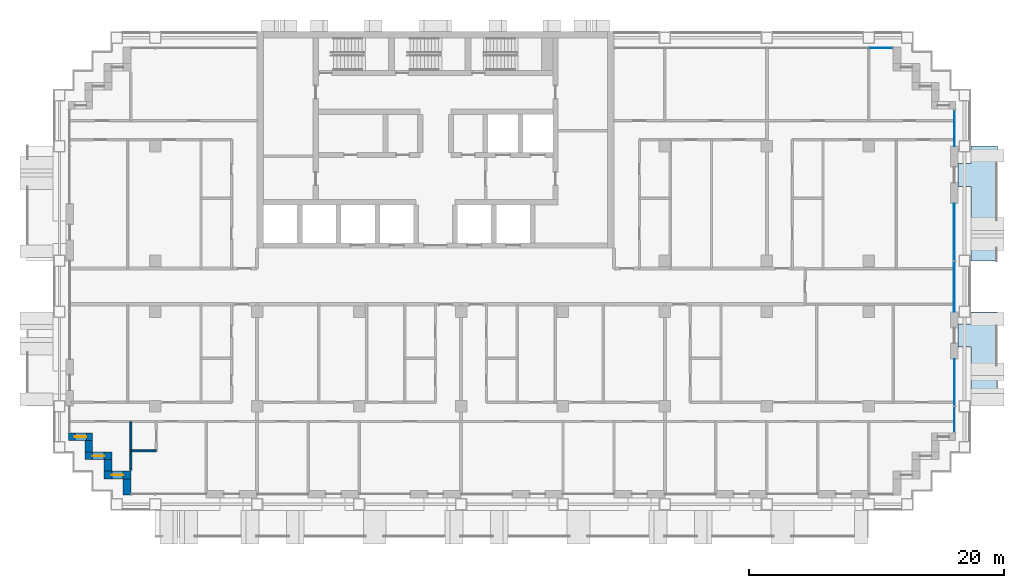
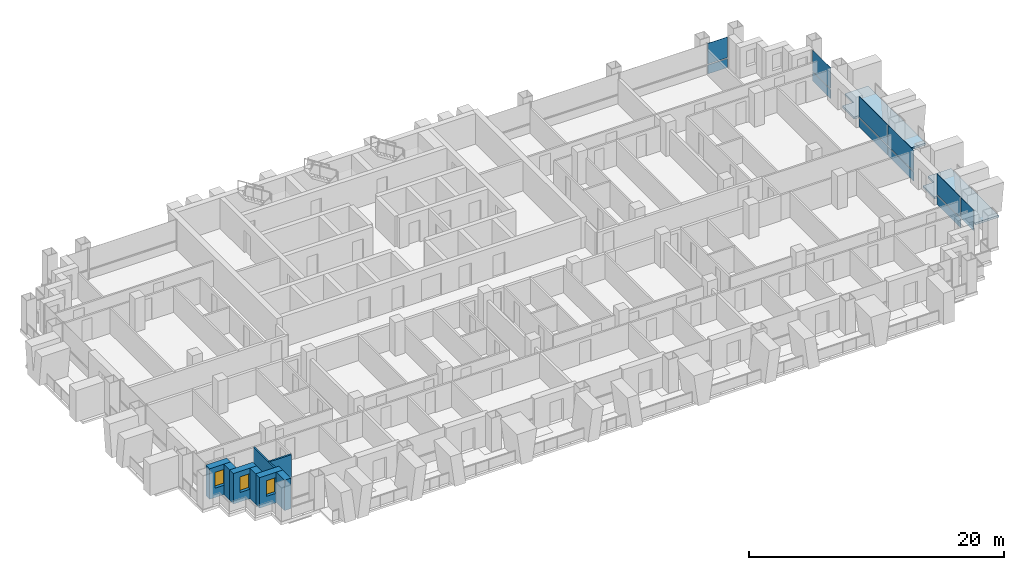
# One storey, part 8 of 18: 11 plates, 8 walls, 3 windows, 2 slabs, 3 openings, 4 elements without a shape of their own.
"""IFC4 building model written with IfcOpenShell, lengths in metres."""

from ifc_helpers import new_model, si_unit, direction, frame, frame_2d, origin, origin_2d, place, context, subcontext, project, spatial, polyline, rectangle, outline, extrude, material, layer, layer_set, type_object, element, fill, aggregate, save


model = new_model("IFC4")

# Units and contexts
model_context = context("Model", 3, precision=1e-05, world=origin(), true_north=direction((0.0, 1.0)))
body_context = subcontext(model_context, "Body", "Model", "MODEL_VIEW")
ifc_project = project(units=[si_unit("LENGTHUNIT", "METRE"), si_unit("AREAUNIT", "SQUARE_METRE"), si_unit("VOLUMEUNIT", "CUBIC_METRE"), si_unit("PLANEANGLEUNIT", "RADIAN"), si_unit("MASSUNIT", "GRAM", prefix="KILO")], contexts=[model_context])

# Site, building, storey
site_placement = place(None, origin())
site = spatial("IfcSite", under=ifc_project, at=site_placement, CompositionType="ELEMENT")
building_placement = place(site_placement, origin())
building = spatial("IfcBuilding", under=site, at=building_placement, Name="Vidyagriha Tower", CompositionType="ELEMENT")
storey_placement = place(building_placement, frame((0.0, 0.0, 93.5)))
storey = spatial("IfcBuildingStorey", under=building, at=storey_placement, Name="L24", CompositionType="ELEMENT", Elevation=93.5)

# Curtain wall, plate
ifc_material_1 = material(Name="Aluminium and glass curtain wall", Category="aluminium")
curtain_wall_type = type_object("IfcCurtainWallType", Name="Dwelling skin unitised curtain wall", PredefinedType="USERDEFINED", material=ifc_material_1)
curtain_wall_1_placement = place(storey_placement, origin())
curtain_wall_1 = element("IfcCurtainWall", 1, at=curtain_wall_1_placement, inside=storey, type_object=curtain_wall_type, Name="CW1 dwelling skin", ObjectType="UNITISED", PredefinedType="USERDEFINED")
ifc_material_2 = material(Name="Glass dark ceramic-fritted spandrel", Category="glass")
ifc_layer_1 = layer(ifc_material_2, 0.0400390625)
ifc_layer_set_1 = layer_set([ifc_layer_1], Name="Glass dark ceramic-fritted spandrel")
plate_type_1 = type_object("IfcPlateType", Name="Ceramic-fritted spandrel panel", PredefinedType="CURTAIN_PANEL", material=ifc_layer_set_1)
plate_1_placement = place(storey_placement, frame((34.9326171875, 18.699951171875, 0.0), z_axis=(0.0, 0.0, 1.0), x_axis=(-1.0, 0.0, 0.0)))
plate_1 = element("IfcPlate", 2, at=plate_1_placement, type_object=plate_type_1, Name="CW1 panel 1.1", PredefinedType="CURTAIN_PANEL", context=body_context, shape_type="SweptSolid", body=[
    extrude(rectangle(XDim=1.794921875, YDim=0.0400390625, at=origin_2d()), origin(), (0.0, 0.0, 1.0), 0.85009765625),
])

curtain_wall_2_placement = place(storey_placement, origin())
curtain_wall_2 = element("IfcCurtainWall", 3, at=curtain_wall_2_placement, inside=storey, type_object=curtain_wall_type, Name="CW1 dwelling skin", ObjectType="UNITISED", PredefinedType="USERDEFINED")
plate_2_placement = place(storey_placement, frame((40.699951171875, -7.532470703125, 0.0), z_axis=(0.0, 0.0, 1.0), x_axis=(0.0, 1.0, 0.0)))
plate_2 = element("IfcPlate", 4, at=plate_2_placement, type_object=plate_type_1, Name="CW1 panel 2.1", PredefinedType="CURTAIN_PANEL", context=body_context, shape_type="SweptSolid", body=[
    extrude(rectangle(XDim=3.6650390625, YDim=0.0400390625, at=origin_2d()), origin(), (0.0, 0.0, 1.0), 0.85009765625),
])

curtain_wall_3_placement = place(storey_placement, origin())
curtain_wall_3 = element("IfcCurtainWall", 5, at=curtain_wall_3_placement, inside=storey, type_object=curtain_wall_type, Name="CW1 dwelling skin", ObjectType="UNITISED", PredefinedType="USERDEFINED")
plate_3_placement = place(storey_placement, frame((40.699951171875, 12.4150390625, 0.0), z_axis=(0.0, 0.0, 1.0), x_axis=(0.0, 1.0, 0.0)))
plate_3 = element("IfcPlate", 6, at=plate_3_placement, type_object=plate_type_1, Name="CW1 panel 1.1", PredefinedType="CURTAIN_PANEL", context=body_context, shape_type="SweptSolid", body=[
    extrude(rectangle(XDim=2.830078125, YDim=0.0400390625, at=origin_2d()), origin(), (0.0, 0.0, 1.0), 0.85009765625),
])

# Plate
ifc_material_3 = material(Name="Glass dark ceramic-fritted", Category="glass")
ifc_layer_2 = layer(ifc_material_3, 0.028076171875)
ifc_layer_set_2 = layer_set([ifc_layer_2], Name="Glass dark ceramic-fritted")
plate_type_2 = type_object("IfcPlateType", Name="Dark ceramic-fritted vision glass panel", PredefinedType="CURTAIN_PANEL", material=ifc_layer_set_2)
plate_4_placement = place(storey_placement, frame((34.9326171875, 18.699951171875, 0.9501953125), z_axis=(0.0, 0.0, 1.0), x_axis=(-1.0, 0.0, 0.0)))
plate_4 = element("IfcPlate", 7, at=plate_4_placement, type_object=plate_type_2, Name="CW1 panel 1.2", PredefinedType="CURTAIN_PANEL", context=body_context, shape_type="SweptSolid", body=[
    extrude(rectangle(XDim=1.794921875, YDim=0.028076171875, at=origin_2d()), origin(), (0.0, 0.0, 1.0), 1.969970703125),
])

aggregate(curtain_wall_1, [plate_1, plate_4])

plate_5_placement = place(storey_placement, frame((40.699951171875, -10.4326171875, 0.9501953125), z_axis=(0.0, 0.0, 1.0), x_axis=(0.0, 1.0, 0.0)))
plate_5 = element("IfcPlate", 8, at=plate_5_placement, type_object=plate_type_2, Name="CW1 panel 1.2", PredefinedType="CURTAIN_PANEL", context=body_context, shape_type="SweptSolid", body=[
    extrude(rectangle(XDim=1.9951171875, YDim=0.028076171875, at=origin_2d()), origin(), (0.0, 0.0, 1.0), 1.969970703125),
])

plate_6_placement = place(storey_placement, frame((40.699951171875, -7.532470703125, 0.9501953125), z_axis=(0.0, 0.0, 1.0), x_axis=(0.0, 1.0, 0.0)))
plate_6 = element("IfcPlate", 9, at=plate_6_placement, type_object=plate_type_2, Name="CW1 panel 2.2", PredefinedType="CURTAIN_PANEL", context=body_context, shape_type="SweptSolid", body=[
    extrude(rectangle(XDim=3.6650390625, YDim=0.028076171875, at=origin_2d()), origin(), (0.0, 0.0, 1.0), 1.969970703125),
])

aggregate(curtain_wall_2, [plate_5, plate_2, plate_6])

# Curtain wall, plates
curtain_wall_4_placement = place(storey_placement, origin())
curtain_wall_4 = element("IfcCurtainWall", 10, at=curtain_wall_4_placement, inside=storey, type_object=curtain_wall_type, Name="CW1 dwelling skin", ObjectType="UNITISED", PredefinedType="USERDEFINED")
plate_7_placement = place(storey_placement, frame((40.699951171875, -0.017578125, 0.9501953125), z_axis=(0.0, 0.0, 1.0), x_axis=(0.0, 1.0, 0.0)))
plate_7 = element("IfcPlate", 11, at=plate_7_placement, type_object=plate_type_2, Name="CW1 panel 1.2", PredefinedType="CURTAIN_PANEL", context=body_context, shape_type="SweptSolid", body=[
    extrude(rectangle(XDim=3.965087890625, YDim=0.028076171875, at=origin_2d()), origin(), (0.0, 0.0, 1.0), 1.969970703125),
])
plate_8_placement = place(storey_placement, frame((40.699951171875, 4.267578125, 0.9501953125), z_axis=(0.0, 0.0, 1.0), x_axis=(0.0, 1.0, 0.0)))
plate_8 = element("IfcPlate", 12, at=plate_8_placement, type_object=plate_type_2, Name="CW1 panel 2.2", PredefinedType="CURTAIN_PANEL", context=body_context, shape_type="SweptSolid", body=[
    extrude(rectangle(XDim=4.465087890625, YDim=0.028076171875, at=origin_2d()), origin(), (0.0, 0.0, 1.0), 1.969970703125),
])

# Plate
plate_9_placement = place(storey_placement, frame((40.699951171875, 12.4150390625, 0.9501953125), z_axis=(0.0, 0.0, 1.0), x_axis=(0.0, 1.0, 0.0)))
plate_9 = element("IfcPlate", 13, at=plate_9_placement, type_object=plate_type_2, Name="CW1 panel 1.2", PredefinedType="CURTAIN_PANEL", context=body_context, shape_type="SweptSolid", body=[
    extrude(rectangle(XDim=2.830078125, YDim=0.028076171875, at=origin_2d()), origin(), (0.0, 0.0, 1.0), 1.969970703125),
])

aggregate(curtain_wall_3, [plate_3, plate_9])

ifc_material_4 = material(Name="Aluminium black anodised", Category="aluminium")
ifc_layer_3 = layer(ifc_material_4, 0.06005859375)
ifc_layer_set_3 = layer_set([ifc_layer_3], Name="Aluminium black anodised")
plate_type_3 = type_object("IfcPlateType", Name="Operable black-metal vent panel", PredefinedType="CURTAIN_PANEL", material=ifc_layer_set_3)
plate_10_placement = place(storey_placement, frame((40.699951171875, -0.017578125, 0.0), z_axis=(0.0, 0.0, 1.0), x_axis=(0.0, 1.0, 0.0)))
plate_10 = element("IfcPlate", 14, at=plate_10_placement, type_object=plate_type_3, Name="CW1 panel 1.1", PredefinedType="CURTAIN_PANEL", context=body_context, shape_type="SweptSolid", body=[
    extrude(rectangle(XDim=3.965087890625, YDim=0.06005859375, at=origin_2d()), origin(), (0.0, 0.0, 1.0), 0.85009765625),
])

plate_11_placement = place(storey_placement, frame((40.699951171875, 4.267578125, 0.0), z_axis=(0.0, 0.0, 1.0), x_axis=(0.0, 1.0, 0.0)))
plate_11 = element("IfcPlate", 15, at=plate_11_placement, type_object=plate_type_3, Name="CW1 panel 2.1", PredefinedType="CURTAIN_PANEL", context=body_context, shape_type="SweptSolid", body=[
    extrude(rectangle(XDim=4.465087890625, YDim=0.06005859375, at=origin_2d()), origin(), (0.0, 0.0, 1.0), 0.85009765625),
])

aggregate(curtain_wall_4, [plate_10, plate_7, plate_11, plate_8])

# Slabs
ifc_material_5 = material(Name="Precast concrete C40/50", Category="concrete")
ifc_layer_4 = layer(ifc_material_5, 0.199951171875)
ifc_layer_set_4 = layer_set([ifc_layer_4], Name="Precast concrete C40/50")
slab_type = type_object("IfcSlabType", Name="Precast balcony slab 200", PredefinedType="USERDEFINED", material=ifc_layer_set_4)
slab_1_placement = place(storey_placement, frame((0.0, 0.0, -0.199951171875)))
element("IfcSlab", 16, at=slab_1_placement, inside=storey, type_object=slab_type, Name="Balcony slab L24 R30.1-1", ObjectType="BALCONY", PredefinedType="USERDEFINED", context=body_context, shape_type="SweptSolid", body=[
    extrude(outline(polyline([(42.0, -4.75), (42.0, -9.39990234375), (44.10009765625, -9.39990234375), (44.10009765625, -2.0), (42.0, -2.0), (42.0, -2.949951171875), (41.0, -2.949951171875), (41.0, -4.75), (42.0, -4.75)])), origin(), (0.0, 0.0, 1.0), 0.199951171875),
])
slab_2_placement = place(storey_placement, frame((0.0, 0.0, -0.199951171875)))
element("IfcSlab", 17, at=slab_2_placement, inside=storey, type_object=slab_type, Name="Balcony slab L24 R30.2-2", ObjectType="BALCONY", PredefinedType="USERDEFINED", context=body_context, shape_type="SweptSolid", body=[
    extrude(outline(polyline([(42.0, 7.85009765625), (42.0, 2.0), (44.10009765625, 2.0), (44.10009765625, 11.0), (42.0, 11.0), (42.0, 9.64990234375), (41.0, 9.64990234375), (41.0, 7.85009765625), (42.0, 7.85009765625)])), origin(), (0.0, 0.0, 1.0), 0.199951171875),
])

# Wall, opening, window
ifc_material_6 = material(Name="Precast concrete C40/50 with brick facing", Category="concrete")
ifc_layer_5 = layer(ifc_material_6, 0.60009765625)
ifc_layer_set_5 = layer_set([ifc_layer_5], Name="Precast concrete C40/50 with brick facing")
wall_type_1 = type_object("IfcWallType", Name="Brick-faced precast wall 600", PredefinedType="STANDARD", material=ifc_layer_set_5)
wall_1_placement = place(storey_placement, frame((-28.780029296875, -11.800048828125, 0.0)))
wall_1 = element("IfcWall", 18, at=wall_1_placement, inside=storey, type_object=wall_type_1, Name="Stepped corner wall L24 R17", PredefinedType="STANDARD", context=body_context, shape_type="SweptSolid", body=[
    extrude(rectangle(XDim=1.880126953125, YDim=0.60009765625, at=frame_2d((0.93994140625, 0.0))), origin(), (0.0, 0.0, 1.0), 2.919921875),
])
opening_1_placement = place(wall_1_placement, frame((0.489990234375, 0.0, 0.89990234375)))
opening_1 = element("IfcOpeningElement", 19, at=opening_1_placement, cuts=wall_1, Name="Opening WN1", PredefinedType="OPENING", context=body_context, shape_type="SweptSolid", body=[
    extrude(rectangle(XDim=0.89990234375, YDim=1.5, at=frame_2d((0.449951171875, 0.75))), frame((0.0, 0.31005859375, 0.0), z_axis=(0.0, -1.0, 0.0), x_axis=(1.0, 0.0, 0.0)), (0.0, 0.0, 1.0), 0.6201171875),
])
ifc_material_7 = material(Name="Aluminium and glass window", Category="aluminium")
window_type = type_object("IfcWindowType", Name="Reveal window 900x1500", PartitioningType="NOTDEFINED", PredefinedType="WINDOW", material=ifc_material_7)
window_1_placement = place(opening_1_placement, origin())
window_1 = element("IfcWindow", 20, at=window_1_placement, inside=storey, type_object=window_type, Name="Reveal window L24 R17", OverallHeight=1.5, OverallWidth=0.89990234375, PartitioningType="SINGLE_PANEL", PredefinedType="WINDOW", context=body_context, shape_type="SweptSolid", body=[
    extrude(rectangle(XDim=0.89990234375, YDim=1.5, at=frame_2d((0.449951171875, 0.75))), frame((0.0, 0.030029296875, 0.0), z_axis=(0.0, -1.0, 0.0), x_axis=(1.0, 0.0, 0.0)), (0.0, 0.0, 1.0), 0.06005859375),
])
fill(opening_1, window_1)

# Wall
wall_2_placement = place(storey_placement, frame((-27.199951171875, -12.10009765625, 0.0), z_axis=(0.0, 0.0, 1.0), x_axis=(0.0, -1.0, 0.0)))
element("IfcWall", 21, at=wall_2_placement, inside=storey, type_object=wall_type_1, Name="Stepped corner wall L24 R18", PredefinedType="STANDARD", context=body_context, shape_type="SweptSolid", body=[
    extrude(rectangle(XDim=0.89990234375, YDim=0.60009765625, at=frame_2d((0.449951171875, 0.0))), origin(), (0.0, 0.0, 1.0), 2.919921875),
])

# Wall, opening, window
wall_3_placement = place(storey_placement, frame((-27.5, -13.300048828125, 0.0)))
wall_3 = element("IfcWall", 22, at=wall_3_placement, inside=storey, type_object=wall_type_1, Name="Stepped corner wall L24 R19", PredefinedType="STANDARD", context=body_context, shape_type="SweptSolid", body=[
    extrude(rectangle(XDim=2.10009765625, YDim=0.60009765625, at=frame_2d((1.050048828125, 0.0))), origin(), (0.0, 0.0, 1.0), 2.919921875),
])
opening_2_placement = place(wall_3_placement, frame((0.60009765625, 0.0, 0.89990234375)))
opening_2 = element("IfcOpeningElement", 23, at=opening_2_placement, cuts=wall_3, Name="Opening WN1", PredefinedType="OPENING", context=body_context, shape_type="SweptSolid", body=[
    extrude(rectangle(XDim=0.89990234375, YDim=1.5, at=frame_2d((0.449951171875, 0.75))), frame((0.0, 0.31005859375, 0.0), z_axis=(0.0, -1.0, 0.0), x_axis=(1.0, 0.0, 0.0)), (0.0, 0.0, 1.0), 0.6201171875),
])
window_2_placement = place(opening_2_placement, origin())
window_2 = element("IfcWindow", 24, at=window_2_placement, inside=storey, type_object=window_type, Name="Reveal window L24 R19", OverallHeight=1.5, OverallWidth=0.89990234375, PartitioningType="SINGLE_PANEL", PredefinedType="WINDOW", context=body_context, shape_type="SweptSolid", body=[
    extrude(rectangle(XDim=0.89990234375, YDim=1.5, at=frame_2d((0.449951171875, 0.75))), frame((0.0, 0.030029296875, 0.0), z_axis=(0.0, -1.0, 0.0), x_axis=(1.0, 0.0, 0.0)), (0.0, 0.0, 1.0), 0.06005859375),
])
fill(opening_2, window_2)

# Wall
wall_4_placement = place(storey_placement, frame((-25.699951171875, -13.60009765625, 0.0), z_axis=(0.0, 0.0, 1.0), x_axis=(0.0, -1.0, 0.0)))
element("IfcWall", 25, at=wall_4_placement, inside=storey, type_object=wall_type_1, Name="Stepped corner wall L24 R20", PredefinedType="STANDARD", context=body_context, shape_type="SweptSolid", body=[
    extrude(rectangle(XDim=0.89990234375, YDim=0.60009765625, at=frame_2d((0.449951171875, 0.0))), origin(), (0.0, 0.0, 1.0), 2.919921875),
])

# Wall, opening, window
wall_5_placement = place(storey_placement, frame((-26.0, -14.800048828125, 0.0)))
wall_5 = element("IfcWall", 26, at=wall_5_placement, inside=storey, type_object=wall_type_1, Name="Stepped corner wall L24 R21", PredefinedType="STANDARD", context=body_context, shape_type="SweptSolid", body=[
    extrude(rectangle(XDim=2.10009765625, YDim=0.60009765625, at=frame_2d((1.050048828125, 0.0))), origin(), (0.0, 0.0, 1.0), 2.919921875),
])
opening_3_placement = place(wall_5_placement, frame((0.60009765625, 0.0, 0.89990234375)))
opening_3 = element("IfcOpeningElement", 27, at=opening_3_placement, cuts=wall_5, Name="Opening WN1", PredefinedType="OPENING", context=body_context, shape_type="SweptSolid", body=[
    extrude(rectangle(XDim=0.89990234375, YDim=1.5, at=frame_2d((0.449951171875, 0.75))), frame((0.0, 0.31005859375, 0.0), z_axis=(0.0, -1.0, 0.0), x_axis=(1.0, 0.0, 0.0)), (0.0, 0.0, 1.0), 0.6201171875),
])
window_3_placement = place(opening_3_placement, origin())
window_3 = element("IfcWindow", 28, at=window_3_placement, inside=storey, type_object=window_type, Name="Reveal window L24 R21", OverallHeight=1.5, OverallWidth=0.89990234375, PartitioningType="SINGLE_PANEL", PredefinedType="WINDOW", context=body_context, shape_type="SweptSolid", body=[
    extrude(rectangle(XDim=0.89990234375, YDim=1.5, at=frame_2d((0.449951171875, 0.75))), frame((0.0, 0.030029296875, 0.0), z_axis=(0.0, -1.0, 0.0), x_axis=(1.0, 0.0, 0.0)), (0.0, 0.0, 1.0), 0.06005859375),
])
fill(opening_3, window_3)

# Walls
wall_6_placement = place(storey_placement, frame((-24.199951171875, -15.10009765625, 0.0), z_axis=(0.0, 0.0, 1.0), x_axis=(0.0, -1.0, 0.0)))
element("IfcWall", 29, at=wall_6_placement, inside=storey, type_object=wall_type_1, Name="Stepped corner wall L24 R22", PredefinedType="STANDARD", context=body_context, shape_type="SweptSolid", body=[
    extrude(rectangle(XDim=1.27978515625, YDim=0.60009765625, at=frame_2d((0.639892578125, 0.0))), origin(), (0.0, 0.0, 1.0), 2.919921875),
])
ifc_material_8 = material(Name="Gypsum board partition")
ifc_layer_6 = layer(ifc_material_8, 0.14990234375)
ifc_layer_set_6 = layer_set([ifc_layer_6], Name="Gypsum board partition")
wall_type_2 = type_object("IfcWallType", Name="Gypsum board partition 150", PredefinedType="PARTITIONING", material=ifc_layer_set_6)
wall_7_placement = place(storey_placement, frame((-23.89990234375, -10.60009765625, 0.0), z_axis=(0.0, 0.0, 1.0), x_axis=(0.0, -1.0, 0.0)))
element("IfcWall", 30, at=wall_7_placement, inside=storey, type_object=wall_type_2, Name="Wall all-L24-w014", PredefinedType="PARTITIONING", context=body_context, shape_type="SweptSolid", body=[
    extrude(rectangle(XDim=3.81982421875, YDim=0.14990234375, at=frame_2d((1.909912109375, 0.0))), origin(), (0.0, 0.0, 1.0), 2.39990234375),
])
wall_8_placement = place(storey_placement, frame((-21.89990234375, -12.89990234375, 0.0), z_axis=(0.0, 0.0, 1.0), x_axis=(-1.0, 0.0, 0.0)))
element("IfcWall", 31, at=wall_8_placement, inside=storey, type_object=wall_type_2, Name="Wall all-L24-w017", PredefinedType="PARTITIONING", context=body_context, shape_type="SweptSolid", body=[
    extrude(rectangle(XDim=2.0, YDim=0.14990234375, at=frame_2d((1.0, 0.0))), origin(), (0.0, 0.0, 1.0), 2.39990234375),
])

save(model, "model.ifc")
